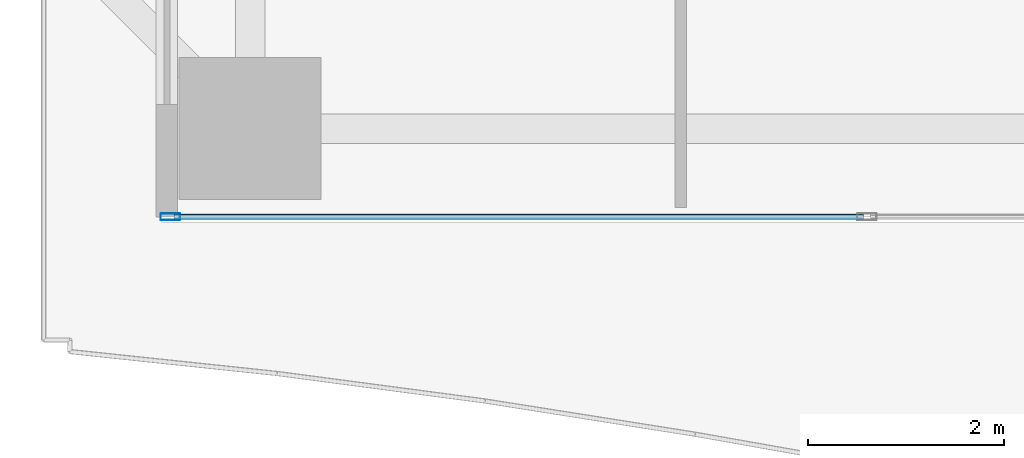
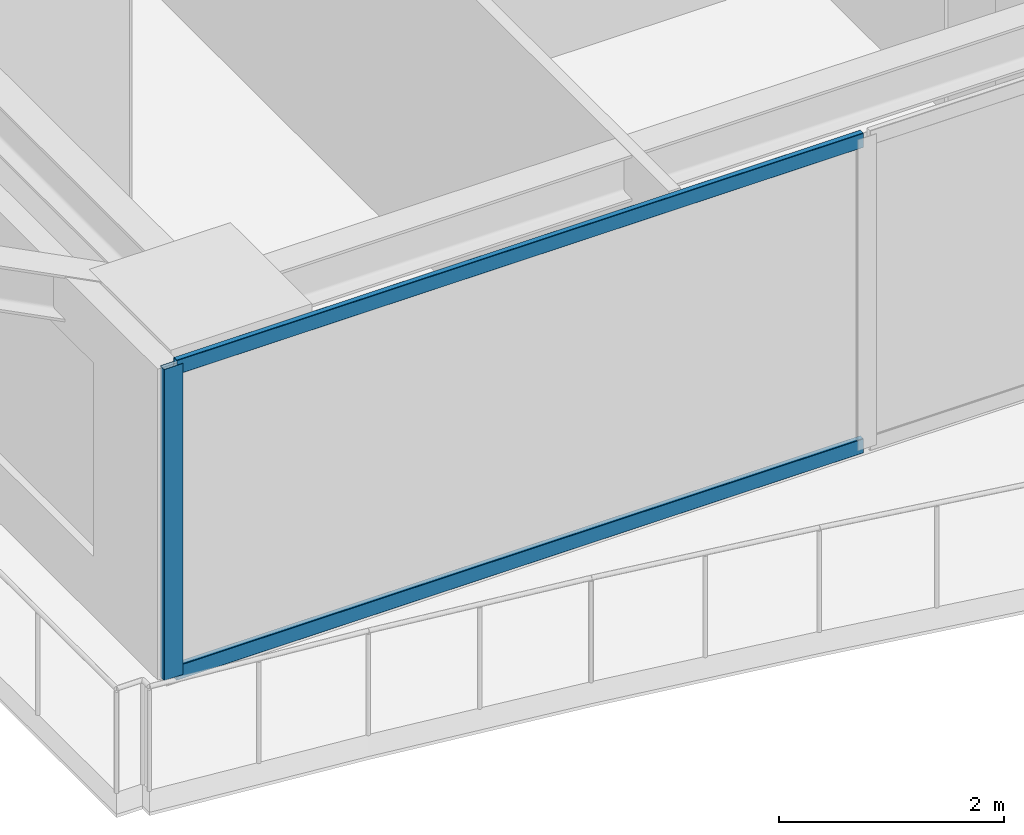
# One storey, part 2 of 40: 3 members, 1 element without a shape of its own.
"""IFC4 building model written with IfcOpenShell, lengths in metres."""

from ifc_helpers import new_model, si_unit, direction, frame, origin, origin_2d, place, context, subcontext, project, spatial, hollow_rectangle, extrude, source, transform, mapped, material, layer, layer_set, material_profile, profile_set, type_object, element, aggregate, save


model = new_model("IFC4")

# Units and contexts
model_context = context("Model", 3, precision=1e-05, world=origin(), true_north=direction((0.0, 1.0)))
body_context = subcontext(model_context, "Body", "Model", "MODEL_VIEW")
ifc_project = project(units=[si_unit("LENGTHUNIT", "METRE"), si_unit("AREAUNIT", "SQUARE_METRE"), si_unit("VOLUMEUNIT", "CUBIC_METRE"), si_unit("PLANEANGLEUNIT", "RADIAN"), si_unit("MASSUNIT", "GRAM", prefix="KILO")], contexts=[model_context])

# Site, building, storey
site_placement = place(None, origin())
site = spatial("IfcSite", under=ifc_project, at=site_placement, CompositionType="ELEMENT")
building_placement = place(site_placement, origin())
building = spatial("IfcBuilding", under=site, at=building_placement, Name="Serunith Strait Residences", CompositionType="ELEMENT")
storey_placement = place(building_placement, frame((0.0, 0.0, 105.449951171875)))
storey = spatial("IfcBuildingStorey", under=building, at=storey_placement, Name="L26", CompositionType="ELEMENT", Elevation=105.449951171875)

# Curtain wall, members
ifc_material = material(Name="Pale-Champagne Anodised Aluminium", Category="aluminium")
ifc_layer = layer(ifc_material, 0.199951171875, Name="Pale-Champagne Anodised Aluminium")
ifc_layer_set = layer_set([ifc_layer], Name="Pale-Champagne Anodised Aluminium")
curtain_wall_type = type_object("IfcCurtainWallType", Name="CW-SYS1", PredefinedType="NOTDEFINED", material=ifc_layer_set)
curtain_wall_placement = place(storey_placement, origin())
curtain_wall = element("IfcCurtainWall", 1, at=curtain_wall_placement, inside=storey, type_object=curtain_wall_type, Name="L26 S Unitised Fritted Curtain Wall", PredefinedType="NOTDEFINED")
ifc_material_profile_1 = material_profile(ifc_material, hollow_rectangle(XDim=0.06005859375, YDim=0.159912109375, WallThickness=0.00341796875, InnerFilletRadius=0.00537109375, OuterFilletRadius=0.0087890625, at=origin_2d()), Name="ALU 160x60x3.5")
ifc_profile_set_1 = profile_set([ifc_material_profile_1], Name="Pale-Champagne Anodised Aluminium")
member_type_1 = type_object("IfcMemberType", Name="CW-SYS1-TRAN", PredefinedType="USERDEFINED", material=ifc_profile_set_1)
shared_shape_1 = source(origin(), body_context, "Body", "SweptSolid", [
    extrude(hollow_rectangle(XDim=0.06005859375, YDim=0.159912109375, WallThickness=0.00341796875, InnerFilletRadius=0.00537109375, OuterFilletRadius=0.0087890625, at=origin_2d()), origin(), (0.0, 0.0, 1.0), 7.044921875),
])
member_1_placement = place(storey_placement, frame((14.469970703125, 0.199951171875, 0.030029296875), z_axis=(1.0, 0.0, 0.0), x_axis=(0.0, 1.0, 0.0)))
member_1 = element("IfcMember", 2, at=member_1_placement, type_object=member_type_1, Name="CW-1 transom 1.1", ObjectType="TRANSOM", PredefinedType="USERDEFINED", context=body_context, shape_type="MappedRepresentation", body=[
    mapped(shared_shape_1, transform((0.0, 0.0, 0.0), scale=1.0)),
])
member_2_placement = place(storey_placement, frame((14.469970703125, 0.199951171875, 3.344970703125), z_axis=(1.0, 0.0, 0.0), x_axis=(0.0, 1.0, 0.0)))
member_2 = element("IfcMember", 3, at=member_2_placement, type_object=member_type_1, Name="CW-1 transom 1.2", ObjectType="TRANSOM", PredefinedType="USERDEFINED", context=body_context, shape_type="MappedRepresentation", body=[
    mapped(shared_shape_1, transform((0.0, 0.0, 0.0), scale=1.0)),
])
ifc_material_profile_2 = material_profile(ifc_material, hollow_rectangle(XDim=0.070068359375, YDim=0.199951171875, WallThickness=0.00390625, InnerFilletRadius=0.006103515625, OuterFilletRadius=0.010009765625, at=origin_2d()), Name="ALU 200x70x4")
ifc_profile_set_2 = profile_set([ifc_material_profile_2], Name="Pale-Champagne Anodised Aluminium")
member_type_2 = type_object("IfcMemberType", Name="CW-SYS1-MULL", PredefinedType="MULLION", material=ifc_profile_set_2)
shared_shape_2 = source(origin(), body_context, "Body", "SweptSolid", [
    extrude(hollow_rectangle(XDim=0.070068359375, YDim=0.199951171875, WallThickness=0.00390625, InnerFilletRadius=0.006103515625, OuterFilletRadius=0.010009765625, at=origin_2d()), origin(), (0.0, 0.0, 1.0), 3.375),
])
member_3_placement = place(storey_placement, frame((14.43505859375, 0.199951171875, 0.0), z_axis=(0.0, 0.0, 1.0), x_axis=(0.0, 1.0, 0.0)))
member_3 = element("IfcMember", 4, at=member_3_placement, type_object=member_type_2, Name="CW-1 mullion 1", PredefinedType="MULLION", context=body_context, shape_type="MappedRepresentation", body=[
    mapped(shared_shape_2, transform((0.0, 0.0, 0.0), scale=1.0)),
])
aggregate(curtain_wall, [member_3, member_1, member_2])

save(model, "model.ifc")
